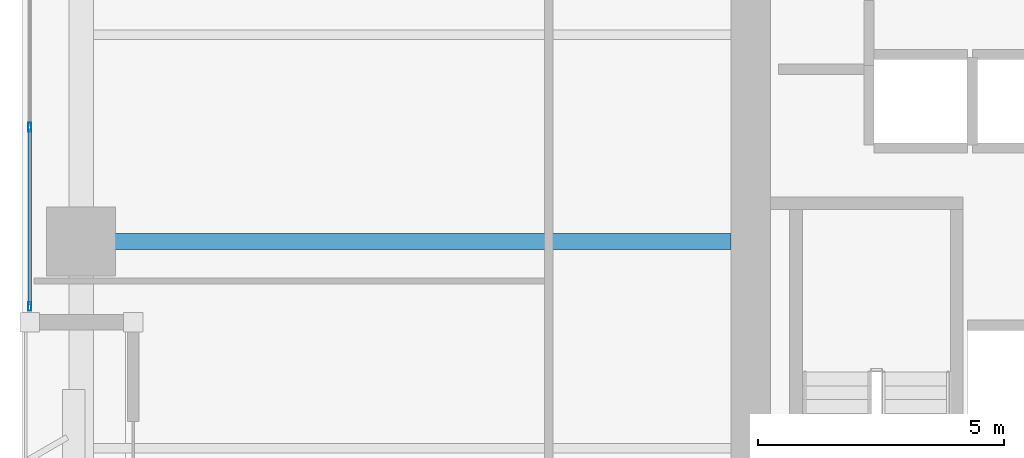
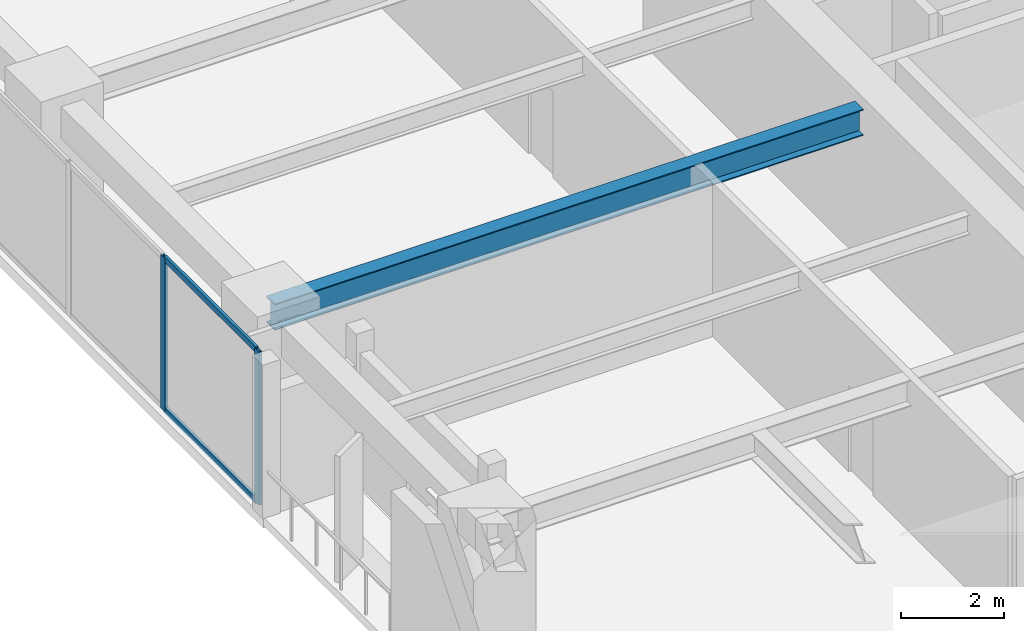
# One storey, part 2 of 24: 4 members, 1 beam, 1 element without a shape of its own.
"""IFC4 building model written with IfcOpenShell, lengths in metres."""

from ifc_helpers import new_model, si_unit, direction, frame, origin, origin_2d, place, context, subcontext, project, spatial, hollow_rectangle, i_section, extrude, material, layer, layer_set, material_profile, profile_set, type_object, element, aggregate, save


model = new_model("IFC4")

# Units and contexts
model_context = context("Model", 3, precision=1e-05, world=origin(), true_north=direction((0.0, 1.0)))
body_context = subcontext(model_context, "Body", "Model", "MODEL_VIEW")
ifc_project = project(units=[si_unit("LENGTHUNIT", "METRE"), si_unit("AREAUNIT", "SQUARE_METRE"), si_unit("VOLUMEUNIT", "CUBIC_METRE"), si_unit("PLANEANGLEUNIT", "RADIAN"), si_unit("MASSUNIT", "GRAM", prefix="KILO")], contexts=[model_context])

# Site, building, storey
site_placement = place(None, origin())
site = spatial("IfcSite", under=ifc_project, at=site_placement, CompositionType="ELEMENT")
building_placement = place(site_placement, origin())
building = spatial("IfcBuilding", under=site, at=building_placement, Name="Kiyonajd Concourse Tower", CompositionType="ELEMENT")
storey_placement = place(building_placement, frame((0.0, 0.0, 113.10009765625)))
storey = spatial("IfcBuildingStorey", under=building, at=storey_placement, Name="L29", CompositionType="ELEMENT", Elevation=113.10009765625)

# Beam
ifc_material_1 = material(Name="Steel ASTM A992 Grade 50", Category="steel")
ifc_material_profile_1 = material_profile(ifc_material_1, i_section(OverallWidth=0.326904296875, OverallDepth=0.6220703125, WebThickness=0.015380859375, FlangeThickness=0.0244140625, at=origin_2d()), Name="W610X195")
ifc_profile_set_1 = profile_set([ifc_material_profile_1], Name="Steel ASTM A992 Grade 50")
beam_type = type_object("IfcBeamType", Name="BM-TWR-610A", PredefinedType="BEAM", material=ifc_profile_set_1)
beam_placement = place(storey_placement, frame((19.199951171875, 36.0, 3.328857421875), z_axis=(1.0, 0.0, 0.0), x_axis=(0.0, 1.0, 0.0)))
element("IfcBeam", 1, at=beam_placement, inside=storey, type_object=beam_type, Name="L29 West Lease Girder", PredefinedType="BEAM", context=body_context, shape_type="SweptSolid", body=[
    extrude(i_section(OverallWidth=0.326904296875, OverallDepth=0.6220703125, WebThickness=0.015380859375, FlangeThickness=0.0244140625, at=origin_2d()), origin(), (0.0, 0.0, 1.0), 13.199951171875),
])

# Curtain wall, members
ifc_material_2 = material(Name="Thermally Broken Anodised Aluminium", Category="aluminium")
ifc_layer = layer(ifc_material_2, 0.179931640625)
ifc_layer_set = layer_set([ifc_layer], Name="Thermally Broken Anodised Aluminium")
curtain_wall_type = type_object("IfcCurtainWallType", Name="CW-SYS-03", PredefinedType="NOTDEFINED", material=ifc_layer_set)
curtain_wall_placement = place(storey_placement, origin())
curtain_wall = element("IfcCurtainWall", 2, at=curtain_wall_placement, inside=storey, type_object=curtain_wall_type, Name="L29 Unitised Curtain Wall CW3", PredefinedType="NOTDEFINED")
ifc_material_profile_2 = material_profile(ifc_material_2, hollow_rectangle(XDim=0.06494140625, YDim=0.179931640625, WallThickness=0.00390625, at=origin_2d()), Name="MULL-65x180")
ifc_profile_set_2 = profile_set([ifc_material_profile_2], Name="Thermally Broken Anodised Aluminium")
member_type_1 = type_object("IfcMemberType", Name="MB-CW-MULL1", PredefinedType="MULLION", material=ifc_profile_set_2)
member_1_placement = place(storey_placement, frame((18.159912109375, 34.6826171875, 0.0), z_axis=(0.0, 0.0, 1.0), x_axis=(-1.0, 0.0, 0.0)))
member_1 = element("IfcMember", 3, at=member_1_placement, type_object=member_type_1, Name="CW3 mullion 1", PredefinedType="MULLION", context=body_context, shape_type="SweptSolid", body=[
    extrude(hollow_rectangle(XDim=0.06494140625, YDim=0.179931640625, WallThickness=0.00390625, at=origin_2d()), origin(), (0.0, 0.0, 1.0), 3.639892578125),
])
member_2_placement = place(storey_placement, frame((18.159912109375, 38.3232421875, 0.0), z_axis=(0.0, 0.0, 1.0), x_axis=(-1.0, 0.0, 0.0)))
member_2 = element("IfcMember", 4, at=member_2_placement, type_object=member_type_1, Name="CW3 mullion 2", PredefinedType="MULLION", context=body_context, shape_type="SweptSolid", body=[
    extrude(hollow_rectangle(XDim=0.06494140625, YDim=0.179931640625, WallThickness=0.00390625, at=origin_2d()), origin(), (0.0, 0.0, 1.0), 3.639892578125),
])
ifc_material_profile_3 = material_profile(ifc_material_2, hollow_rectangle(XDim=0.06494140625, YDim=0.139892578125, WallThickness=0.00390625, at=origin_2d()), Name="TRAN-65x140")
ifc_profile_set_3 = profile_set([ifc_material_profile_3], Name="Thermally Broken Anodised Aluminium")
member_type_2 = type_object("IfcMemberType", Name="MB-CW-TRAN1", PredefinedType="USERDEFINED", material=ifc_profile_set_3)
member_3_placement = place(storey_placement, frame((18.159912109375, 34.715087890625, 0.032470703125), z_axis=(0.0, 1.0, 0.0), x_axis=(-1.0, 0.0, 0.0)))
member_3 = element("IfcMember", 5, at=member_3_placement, type_object=member_type_2, Name="CW3 transom 1.1", ObjectType="TRANSOM", PredefinedType="USERDEFINED", context=body_context, shape_type="SweptSolid", body=[
    extrude(hollow_rectangle(XDim=0.06494140625, YDim=0.139892578125, WallThickness=0.00390625, at=origin_2d()), origin(), (0.0, 0.0, 1.0), 3.57568359375),
])
member_4_placement = place(storey_placement, frame((18.159912109375, 34.715087890625, 3.607421875), z_axis=(0.0, 1.0, 0.0), x_axis=(-1.0, 0.0, 0.0)))
member_4 = element("IfcMember", 6, at=member_4_placement, type_object=member_type_2, Name="CW3 transom 1.2", ObjectType="TRANSOM", PredefinedType="USERDEFINED", context=body_context, shape_type="SweptSolid", body=[
    extrude(hollow_rectangle(XDim=0.06494140625, YDim=0.139892578125, WallThickness=0.00390625, at=origin_2d()), origin(), (0.0, 0.0, 1.0), 3.57568359375),
])
aggregate(curtain_wall, [member_1, member_2, member_3, member_4])

save(model, "model.ifc")
